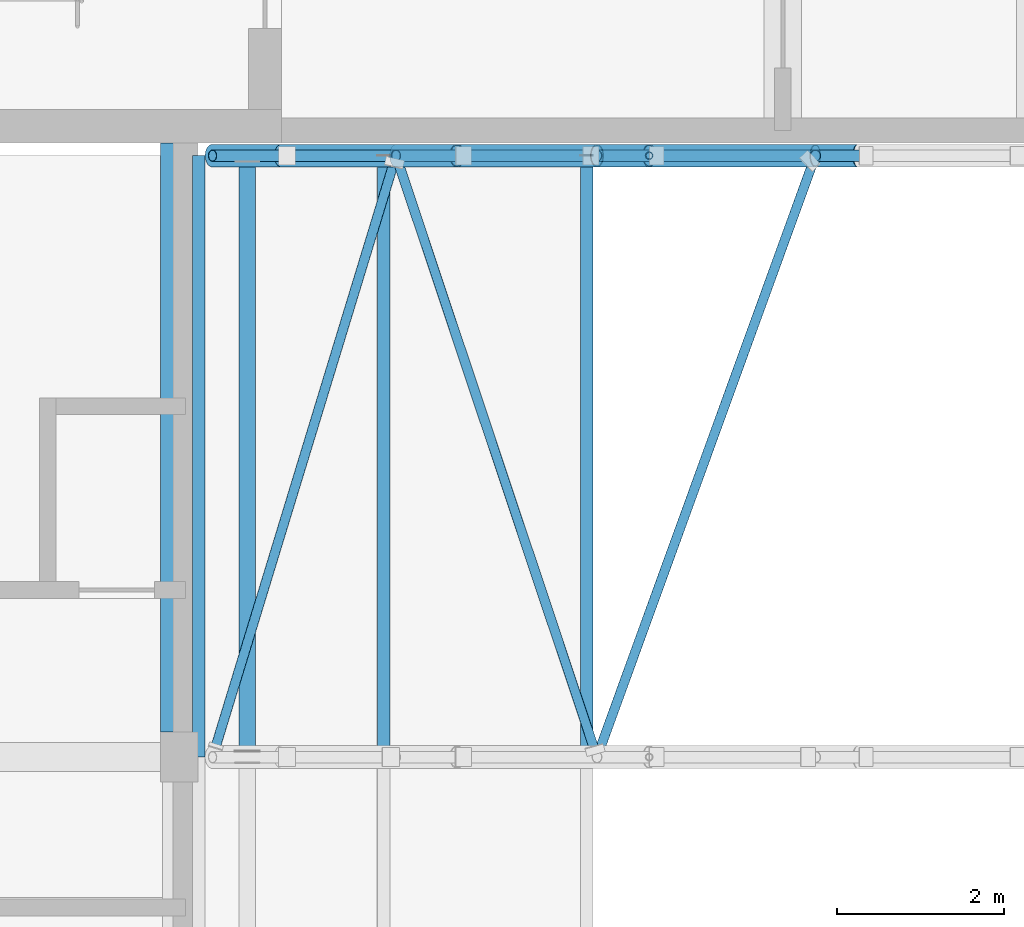
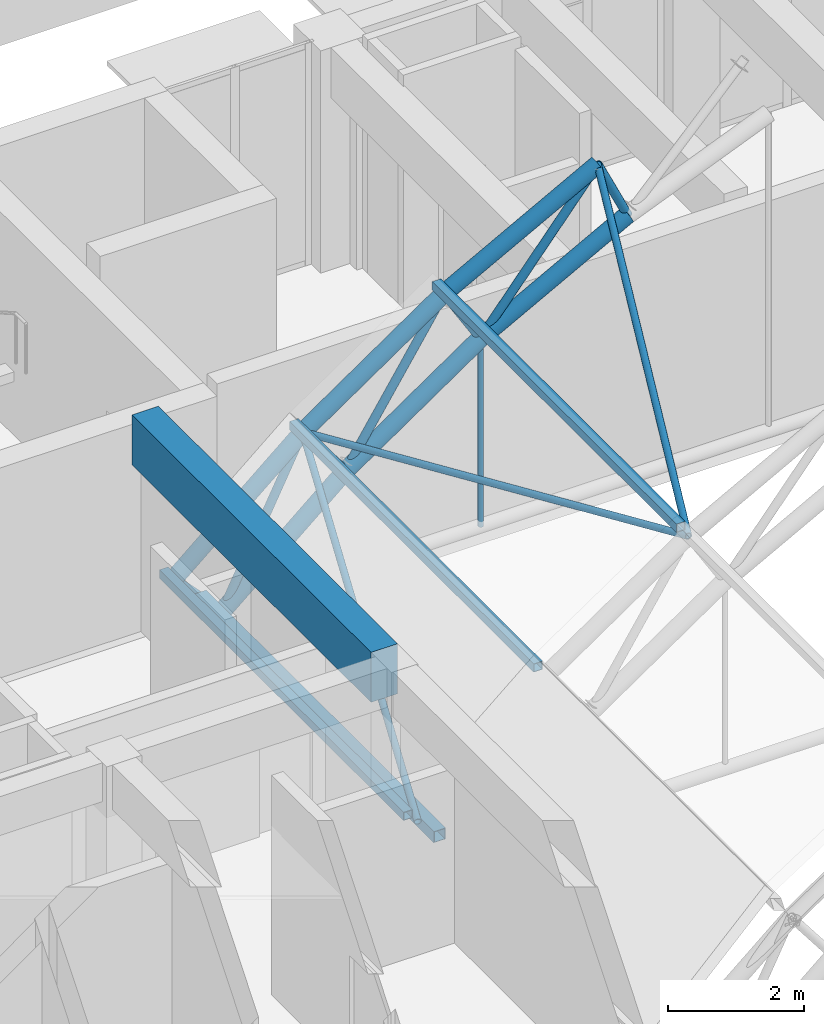
# One storey, part 8 of 101: 21 members, 1 beam.
"""IFC4 building model written with IfcOpenShell, lengths in metres."""

import ifcopenshell
import ifcopenshell.guid

model = None  # the IFC model being written
_history = None  # IfcOwnerHistory: only IFC2X3 demands one
_inside = {}  # id of a spatial element -> (the spatial element, [elements in it])
_under = {}  # id of a project, library or spatial element -> (it, [spatial elements below it])
_declared = {}  # id of a project -> (the project, [libraries it declares])
_typed = {}  # id of a type object -> (the type object, [elements of that type])
_made_of = {}  # id of a material, layer set ... -> (it, [elements and type objects made of it])


def new_model(schema):
    """Start an empty IFC model of exactly this schema.

    Asked for "IFC4X3", IfcOpenShell would pick the latest addendum, in which some entities
    have other attributes; the version numbers below select the first issue.
    IFC2X3 requires an IfcOwnerHistory on every rooted entity: one is made here for all.
    """
    global model, _history
    if schema == "IFC4X3":
        model = ifcopenshell.file(schema_version=(4, 3, 0, 0))
    else:
        model = ifcopenshell.file(schema=schema)
    _inside.clear()
    _under.clear()
    _declared.clear()
    _typed.clear()
    _made_of.clear()
    _history = None
    if model.schema == "IFC2X3":
        org = make("IfcOrganization", Name="unknown")
        user = make(
            "IfcPersonAndOrganization",
            ThePerson=make("IfcPerson", FamilyName="unknown"),
            TheOrganization=org,
        )
        app = make(
            "IfcApplication",
            ApplicationDeveloper=org,
            Version="unknown",
            ApplicationFullName="unknown",
            ApplicationIdentifier="unknown",
        )
        _history = make(
            "IfcOwnerHistory",
            OwningUser=user,
            OwningApplication=app,
            ChangeAction="ADDED",
            CreationDate=0,
        )
    return model


def make(cls, **values):
    """One entity of the class cls with the attributes given. An attribute that is None is left unset."""
    return model.create_entity(
        cls, **{name: value for name, value in values.items() if value is not None}
    )


def rooted(cls, **values):
    """An entity with a GlobalId (a new one), such as an element, a storey or a relation."""
    return make(cls, GlobalId=ifcopenshell.guid.new(), OwnerHistory=_history, **values)


def si_unit(unit_type, name, prefix=None):
    """IfcSIUnit, for example si_unit("LENGTHUNIT", "METRE", prefix="MILLI")."""
    return make("IfcSIUnit", UnitType=unit_type, Prefix=prefix, Name=name)


def assignment(units):
    """IfcUnitAssignment: the units of a project."""
    return None if units is None else make("IfcUnitAssignment", Units=units)


def point(xyz):
    """IfcCartesianPoint."""
    return None if xyz is None else make("IfcCartesianPoint", Coordinates=xyz)


def direction(xyz):
    """IfcDirection."""
    return None if xyz is None else make("IfcDirection", DirectionRatios=xyz)


def frame(location, z_axis=None, x_axis=None):
    """IfcAxis2Placement3D, a coordinate frame: its origin and axes. An axis left out is left unset."""
    return make(
        "IfcAxis2Placement3D",
        Location=point(location),
        Axis=direction(z_axis),
        RefDirection=direction(x_axis),
    )


def frame_2d(location, x_axis=None):
    """IfcAxis2Placement2D, a coordinate frame in the plane: its origin and x axis."""
    return make(
        "IfcAxis2Placement2D", Location=point(location), RefDirection=direction(x_axis)
    )


def origin():
    """The frame at (0, 0, 0) with its axes left unset."""
    return frame((0.0, 0.0, 0.0))


def origin_2d():
    """The frame at (0, 0) in the plane with its x axis left unset."""
    return frame_2d((0.0, 0.0))


def place(relative_to, where):
    """IfcLocalPlacement: puts the frame where relative to a parent placement (None: the world)."""
    return make(
        "IfcLocalPlacement", PlacementRelTo=relative_to, RelativePlacement=where
    )


def context(
    kind, dimensions, precision=None, world=None, true_north=None, identifier=None
):
    """IfcGeometricRepresentationContext, for example the 3D "Model" context."""
    return make(
        "IfcGeometricRepresentationContext",
        ContextIdentifier=identifier,
        ContextType=kind,
        CoordinateSpaceDimension=dimensions,
        Precision=precision,
        WorldCoordinateSystem=world,
        TrueNorth=true_north,
    )


def subcontext(parent, identifier, kind, view, scale=None):
    """IfcGeometricRepresentationSubContext, for example "Body" below "Model"."""
    return make(
        "IfcGeometricRepresentationSubContext",
        ContextIdentifier=identifier,
        ContextType=kind,
        ParentContext=parent,
        TargetScale=scale,
        TargetView=view,
    )


def project(units=None, contexts=None):
    """IfcProject with its units and contexts."""
    return rooted(
        "IfcProject",
        Name="project",
        RepresentationContexts=contexts,
        UnitsInContext=assignment(units),
    )


def spatial(cls, under=None, at=None, **own):
    """A site, building, storey or space (cls), placed at a placement, below another one or the project."""
    s = rooted(cls, ObjectPlacement=at, **own)
    if under is not None:
        _under.setdefault(under.id(), (under, []))[1].append(s)
    return s


def profile(cls, at=None, kind="AREA", **sizes):
    """A parametric profile (cls). Its sizes go by their IFC names, for example OverallWidth=200.0."""
    return make(cls, ProfileType=kind, Position=at, **sizes)


def rectangle(**sizes):
    """IfcRectangleProfileDef."""
    return profile("IfcRectangleProfileDef", **sizes)


def hollow_rectangle(**sizes):
    """IfcRectangleHollowProfileDef."""
    return profile("IfcRectangleHollowProfileDef", **sizes)


def hollow_circle(**sizes):
    """IfcCircleHollowProfileDef."""
    return profile("IfcCircleHollowProfileDef", **sizes)


def extrude(swept, where, along, depth):
    """IfcExtrudedAreaSolid: the profile swept, set in the frame where, extruded along a direction by depth."""
    return make(
        "IfcExtrudedAreaSolid",
        SweptArea=swept,
        Position=where,
        ExtrudedDirection=direction(along),
        Depth=depth,
    )


def shape(context_of_items, identifier, shape_type, items):
    """IfcShapeRepresentation: the items that make up one representation, for example the "Body"."""
    return make(
        "IfcShapeRepresentation",
        ContextOfItems=context_of_items,
        RepresentationIdentifier=identifier,
        RepresentationType=shape_type,
        Items=items,
    )


def material(Name=None, Category=None):
    """IfcMaterial."""
    return make("IfcMaterial", Name=Name, Category=Category)


def material_profile(
    of_material, cross_section, Name=None, Category=None, Priority=None
):
    """IfcMaterialProfile: a cross section and its material."""
    return make(
        "IfcMaterialProfile",
        Name=Name,
        Material=of_material,
        Profile=cross_section,
        Priority=Priority,
        Category=Category,
    )


def profile_set(profiles, Name=None, composite=None):
    """IfcMaterialProfileSet."""
    return make(
        "IfcMaterialProfileSet",
        Name=Name,
        MaterialProfiles=profiles,
        CompositeProfile=composite,
    )


def made_of(thing, what):
    """Note that an element or type object is made of a material, layer set ...; save() writes the relation."""
    if what is not None:
        _made_of.setdefault(what.id(), (what, []))[1].append(thing)
    return thing


def type_object(cls, material=None, **own):
    """A type object (cls), such as IfcWallType, which elements share."""
    return made_of(rooted(cls, **own), material)


def element(
    cls,
    number,
    at=None,
    inside=None,
    cuts=None,
    type_object=None,
    material=None,
    context=None,
    identifier="Body",
    shape_type=None,
    held_by="IfcProductDefinitionShape",
    body=None,
    shapes=None,
    **own,
):
    """One element of the class cls, such as IfcWall. Its Tag is "e" and its number.

    at: its placement. inside: the storey or other place that contains it. cuts: it is an
    opening in that element (IfcRelVoidsElement). A single representation is given by context,
    identifier, shape_type and body (its items); several are given by shapes. held_by: the class
    of the entity that holds the representations. save() writes the other relations.
    """
    e = rooted(cls, Tag="e%d" % number, ObjectPlacement=at, **own)
    if body is not None:
        shapes = [shape(context, identifier, shape_type, body)]
    if shapes is not None:
        e.Representation = make(held_by, Representations=shapes)
    if inside is not None:
        _inside.setdefault(inside.id(), (inside, []))[1].append(e)
    if cuts is not None:
        rooted(
            "IfcRelVoidsElement", RelatingBuildingElement=cuts, RelatedOpeningElement=e
        )
    if type_object is not None:
        _typed.setdefault(type_object.id(), (type_object, []))[1].append(e)
    return made_of(e, material)


def aggregate(whole, parts):
    """IfcRelAggregates: a whole, such as a stair, and the parts it consists of."""
    return rooted("IfcRelAggregates", RelatingObject=whole, RelatedObjects=parts)


def save(model, path):
    """Write the relations noted so far, then the file.

    IfcRelAggregates (storeys below a building ...), IfcRelContainedInSpatialStructure (elements
    in a storey), IfcRelDefinesByType, IfcRelAssociatesMaterial and IfcRelDeclares: one each for
    every whole, place, type object, material and project.
    """
    for whole, parts in _under.values():
        aggregate(whole, parts)
    for where, things in _inside.values():
        rooted(
            "IfcRelContainedInSpatialStructure",
            RelatedElements=things,
            RelatingStructure=where,
        )
    for kind, things in _typed.values():
        rooted("IfcRelDefinesByType", RelatedObjects=things, RelatingType=kind)
    for what, things in _made_of.values():
        rooted("IfcRelAssociatesMaterial", RelatedObjects=things, RelatingMaterial=what)
    for by, libraries in _declared.values():
        rooted("IfcRelDeclares", RelatingContext=by, RelatedDefinitions=libraries)
    model.write(path)


model = new_model("IFC4")

# Units and contexts
model_context = context("Model", 3, precision=1e-05, world=origin(), true_north=direction((0.0, 1.0)))
body_context = subcontext(model_context, "Body", "Model", "MODEL_VIEW")
ifc_project = project(units=[si_unit("LENGTHUNIT", "METRE"), si_unit("AREAUNIT", "SQUARE_METRE"), si_unit("VOLUMEUNIT", "CUBIC_METRE"), si_unit("PLANEANGLEUNIT", "RADIAN"), si_unit("MASSUNIT", "GRAM", prefix="KILO")], contexts=[model_context])

# Site, building, storey
site_placement = place(None, origin())
site = spatial("IfcSite", under=ifc_project, at=site_placement, CompositionType="ELEMENT")
building_placement = place(site_placement, origin())
building = spatial("IfcBuilding", under=site, at=building_placement, Name="Laocheng Heights Fire and Rescue Headquarters", CompositionType="ELEMENT")
storey_placement = place(building_placement, frame((0.0, 0.0, 8.39990234375)))
storey = spatial("IfcBuildingStorey", under=building, at=storey_placement, Name="L02", CompositionType="ELEMENT", Elevation=8.39990234375)

# Members
ifc_material_1 = material(Name="Steel Q355B", Category="steel")
ifc_material_profile_1 = material_profile(ifc_material_1, hollow_circle(Radius=0.05712890625, WallThickness=0.0048828125, at=origin_2d()), Name="CHS 114.3x5")
ifc_profile_set_1 = profile_set([ifc_material_profile_1], Name="Steel Q355B")
member_type_1 = type_object("IfcMemberType", Name="BAY ROOF BRACE CHS 114.3x5", PredefinedType="BRACE", material=ifc_profile_set_1)
member_1_placement = place(storey_placement, frame((17.172119140625, 14.39990234375, 0.869140625), z_axis=(0.283125122664, 0.927975785465, 0.242283112304), x_axis=(-0.956473341077, 0.291819717992, 0.0)))
element("IfcMember", 1, at=member_1_placement, inside=storey, type_object=member_type_1, Name="Roof brace C-D panel 01", PredefinedType="BRACE", context=body_context, shape_type="SweptSolid", body=[
    extrude(hollow_circle(Radius=0.05712890625, WallThickness=0.0048828125, at=origin_2d()), origin(), (0.0, 0.0, 1.0), 7.759033203125),
])
member_2_placement = place(storey_placement, frame((21.77490234375, 14.39990234375, 4.401123046875), z_axis=(-0.309683504081, 0.926756560361, -0.212646197069), x_axis=(-0.948448272196, -0.316931972145, 0.0)))
element("IfcMember", 2, at=member_2_placement, inside=storey, type_object=member_type_1, Name="Roof brace C-D panel 02", PredefinedType="BRACE", context=body_context, shape_type="SweptSolid", body=[
    extrude(hollow_circle(Radius=0.05712890625, WallThickness=0.0048828125, at=origin_2d()), origin(), (0.0, 0.0, 1.0), 7.769287109375),
])
member_3_placement = place(storey_placement, frame((21.77490234375, 14.39990234375, 4.401123046875), z_axis=(0.335750579277, 0.924466070771, 0.180648920584), x_axis=(-0.939930136239, 0.341366868617, 0.0)))
element("IfcMember", 3, at=member_3_placement, inside=storey, type_object=member_type_1, Name="Roof brace C-D panel 03", PredefinedType="BRACE", context=body_context, shape_type="SweptSolid", body=[
    extrude(hollow_circle(Radius=0.05712890625, WallThickness=0.0048828125, at=origin_2d()), origin(), (0.0, 0.0, 1.0), 7.78857421875),
])
ifc_material_2 = material(Name="Steel Q355B", Category="steel")
ifc_material_profile_2 = material_profile(ifc_material_2, hollow_circle(Radius=0.136474609375, WallThickness=0.011962890625, at=origin_2d()), Name="CHS 273x12")
ifc_profile_set_2 = profile_set([ifc_material_profile_2], Name="Steel Q355B")
member_type_2 = type_object("IfcMemberType", Name="BAY ROOF CHORD CHS 273x12", PredefinedType="CHORD", material=ifc_profile_set_2)
member_4_placement = place(storey_placement, frame((17.172119140625, 21.60009765625, 0.869140625), z_axis=(0.759780870103, 0.0, 0.650179228694), x_axis=(0.0, 1.0, 0.0)))
element("IfcMember", 4, at=member_4_placement, inside=storey, type_object=member_type_2, Name="Truss TR4 upper chord 01", PredefinedType="CHORD", context=body_context, shape_type="SweptSolid", body=[
    extrude(hollow_circle(Radius=0.136474609375, WallThickness=0.011962890625, at=origin_2d()), origin(), (0.0, 0.0, 1.0), 2.891357421875),
])
member_5_placement = place(storey_placement, frame((19.368896484375, 21.60009765625, 2.7490234375), z_axis=(0.824366402467, 0.0, 0.566056564738), x_axis=(0.0, 1.0, 0.0)))
element("IfcMember", 5, at=member_5_placement, inside=storey, type_object=member_type_2, Name="Truss TR4 upper chord 02", PredefinedType="CHORD", context=body_context, shape_type="SweptSolid", body=[
    extrude(hollow_circle(Radius=0.136474609375, WallThickness=0.011962890625, at=origin_2d()), origin(), (0.0, 0.0, 1.0), 2.918701171875),
])
member_6_placement = place(storey_placement, frame((21.77490234375, 21.60009765625, 4.401123046875), z_axis=(0.880624173368, 0.0, 0.473815433771), x_axis=(0.0, 1.0, 0.0)))
element("IfcMember", 6, at=member_6_placement, inside=storey, type_object=member_type_2, Name="Truss TR4 upper chord 03", PredefinedType="CHORD", context=body_context, shape_type="SweptSolid", body=[
    extrude(hollow_circle(Radius=0.136474609375, WallThickness=0.011962890625, at=origin_2d()), origin(), (0.0, 0.0, 1.0), 2.969482421875),
])
member_7_placement = place(storey_placement, frame((18.0, 21.60009765625, 0.0), z_axis=(0.759611792673, 0.0, 0.650376755759), x_axis=(0.0, 1.0, 0.0)))
element("IfcMember", 7, at=member_7_placement, inside=storey, type_object=member_type_2, Name="Truss TR4 lower chord 01", PredefinedType="CHORD", context=body_context, shape_type="SweptSolid", body=[
    extrude(hollow_circle(Radius=0.136474609375, WallThickness=0.011962890625, at=origin_2d()), origin(), (0.0, 0.0, 1.0), 2.7646484375),
])
member_8_placement = place(storey_placement, frame((20.10009765625, 21.60009765625, 1.798095703125), z_axis=(0.824378833686, 0.0, 0.566038460327), x_axis=(0.0, 1.0, 0.0)))
element("IfcMember", 8, at=member_8_placement, inside=storey, type_object=member_type_2, Name="Truss TR4 lower chord 02", PredefinedType="CHORD", context=body_context, shape_type="SweptSolid", body=[
    extrude(hollow_circle(Radius=0.136474609375, WallThickness=0.011962890625, at=origin_2d()), origin(), (0.0, 0.0, 1.0), 2.789794921875),
])
member_9_placement = place(storey_placement, frame((22.39990234375, 21.60009765625, 3.377197265625), z_axis=(0.880645014109, 0.0, 0.473776697532), x_axis=(0.0, 1.0, 0.0)))
element("IfcMember", 9, at=member_9_placement, inside=storey, type_object=member_type_2, Name="Truss TR4 lower chord 03", PredefinedType="CHORD", context=body_context, shape_type="SweptSolid", body=[
    extrude(hollow_circle(Radius=0.136474609375, WallThickness=0.011962890625, at=origin_2d()), origin(), (0.0, 0.0, 1.0), 2.8388671875),
])
ifc_material_3 = material(Name="Steel Q355B", Category="steel")
ifc_material_profile_3 = material_profile(ifc_material_3, hollow_circle(Radius=0.06982421875, WallThickness=0.006103515625, at=origin_2d()), Name="CHS 139.7x6")
ifc_profile_set_3 = profile_set([ifc_material_profile_3], Name="Steel Q355B")
member_type_3 = type_object("IfcMemberType", Name="BAY ROOF DIAG CHS 139.7x6", PredefinedType="BRACE", material=ifc_profile_set_3)
member_10_placement = place(storey_placement, frame((18.0, 21.60009765625, 0.0), z_axis=(0.445750218044, 0.0, 0.89515738455), x_axis=(0.0, 1.0, 0.0)))
element("IfcMember", 10, at=member_10_placement, inside=storey, type_object=member_type_3, Name="Truss diagonal TR4-01", PredefinedType="BRACE", context=body_context, shape_type="SweptSolid", body=[
    extrude(hollow_circle(Radius=0.06982421875, WallThickness=0.006103515625, at=origin_2d()), origin(), (0.0, 0.0, 1.0), 3.071044921875),
])
member_11_placement = place(storey_placement, frame((20.10009765625, 21.60009765625, 1.798095703125), z_axis=(0.541084441546, 0.0, 0.840968267604), x_axis=(0.0, 1.0, 0.0)))
element("IfcMember", 11, at=member_11_placement, inside=storey, type_object=member_type_3, Name="Truss diagonal TR4-02", PredefinedType="BRACE", context=body_context, shape_type="SweptSolid", body=[
    extrude(hollow_circle(Radius=0.06982421875, WallThickness=0.006103515625, at=origin_2d()), origin(), (0.0, 0.0, 1.0), 3.09521484375),
])
member_12_placement = place(storey_placement, frame((22.39990234375, 21.60009765625, 3.377197265625), z_axis=(0.633440900174, 0.0, 0.773791073861), x_axis=(0.0, 1.0, 0.0)))
element("IfcMember", 12, at=member_12_placement, inside=storey, type_object=member_type_3, Name="Truss diagonal TR4-03", PredefinedType="BRACE", context=body_context, shape_type="SweptSolid", body=[
    extrude(hollow_circle(Radius=0.06982421875, WallThickness=0.006103515625, at=origin_2d()), origin(), (0.0, 0.0, 1.0), 3.1416015625),
])
ifc_material_4 = material(Name="Steel Q355B", Category="steel")
ifc_material_profile_4 = material_profile(ifc_material_4, hollow_rectangle(XDim=0.199951171875, YDim=0.199951171875, WallThickness=0.008056640625, at=origin_2d()), Name="SHS 200x200x8")
ifc_profile_set_4 = profile_set([ifc_material_profile_4], Name="Steel Q355B")
member_type_4 = type_object("IfcMemberType", Name="BAY ROOF EAVES SHS 200x200x8", PredefinedType="STRUT", material=ifc_profile_set_4)
member_13_placement = place(storey_placement, frame((17.5859375, 14.469970703125, 0.4345703125), z_axis=(0.0, 1.0, 0.0), x_axis=(-1.0, 0.0, 0.0)))
element("IfcMember", 13, at=member_13_placement, inside=storey, type_object=member_type_4, Name="Eaves strut W3", PredefinedType="STRUT", context=body_context, shape_type="SweptSolid", body=[
    extrude(hollow_rectangle(XDim=0.199951171875, YDim=0.199951171875, WallThickness=0.008056640625, at=origin_2d()), origin(), (0.0, 0.0, 1.0), 7.06005859375),
])
ifc_material_5 = material(Name="Steel Q355B", Category="steel")
ifc_material_profile_5 = material_profile(ifc_material_5, hollow_circle(Radius=0.04443359375, WallThickness=0.0048828125, at=origin_2d()), Name="CHS 88.9x5")
ifc_profile_set_5 = profile_set([ifc_material_profile_5], Name="Steel Q355B")
member_type_5 = type_object("IfcMemberType", Name="BAY ROOF HANGER CHS 88.9x5", PredefinedType="POST", material=ifc_profile_set_5)
member_14_placement = place(storey_placement, frame((22.39990234375, 21.60009765625, 0.0), z_axis=(0.0, 0.0, 1.0), x_axis=(1.0, 0.0, 0.0)))
element("IfcMember", 14, at=member_14_placement, inside=storey, type_object=member_type_5, Name="Truss TR4 hanger 02", PredefinedType="POST", context=body_context, shape_type="SweptSolid", body=[
    extrude(hollow_circle(Radius=0.04443359375, WallThickness=0.0048828125, at=origin_2d()), origin(), (0.0, 0.0, 1.0), 3.377197265625),
])
ifc_material_6 = material(Name="Steel Q355B", Category="steel")
ifc_material_profile_6 = material_profile(ifc_material_6, hollow_circle(Radius=0.06982421875, WallThickness=0.006103515625, at=origin_2d()), Name="CHS 139.7x6")
ifc_profile_set_6 = profile_set([ifc_material_profile_6], Name="Steel Q355B")
member_type_6 = type_object("IfcMemberType", Name="BAY ROOF POST CHS 139.7x6", PredefinedType="POST", material=ifc_profile_set_6)
member_15_placement = place(storey_placement, frame((18.0, 21.60009765625, 0.0), z_axis=(-0.689711037364, 0.0, 0.72408472221), x_axis=(0.0, -1.0, 0.0)))
element("IfcMember", 15, at=member_15_placement, inside=storey, type_object=member_type_6, Name="Truss TR4 radial post 00", PredefinedType="POST", context=body_context, shape_type="SweptSolid", body=[
    extrude(hollow_circle(Radius=0.06982421875, WallThickness=0.006103515625, at=origin_2d()), origin(), (0.0, 0.0, 1.0), 1.200439453125),
])
member_16_placement = place(storey_placement, frame((20.10009765625, 21.60009765625, 1.798095703125), z_axis=(-0.609563212164, 0.0, 0.792737466237), x_axis=(0.0, -1.0, 0.0)))
element("IfcMember", 16, at=member_16_placement, inside=storey, type_object=member_type_6, Name="Truss TR4 radial post 01", PredefinedType="POST", context=body_context, shape_type="SweptSolid", body=[
    extrude(hollow_circle(Radius=0.06982421875, WallThickness=0.006103515625, at=origin_2d()), origin(), (0.0, 0.0, 1.0), 1.199462890625),
])
for number, where, z_axis, x_axis, name in (
    (17, (22.39990234375, 21.60009765625, 3.377197265625), (-0.521005401076, 0.0, 0.853553379731), (0.0, -1.0, 0.0), "Truss TR4 radial post 02"),
    (18, (24.89990234375, 21.60009765625, 4.72216796875), (-0.425101107328, 0.0, 0.90514587142), (0.0, -1.0, 0.0), "Truss TR4 radial post 03"),
):
    element("IfcMember", number, at=place(storey_placement, frame(where, z_axis=z_axis, x_axis=x_axis)), inside=storey, type_object=member_type_6, Name=name, PredefinedType="POST", context=body_context, shape_type="SweptSolid", body=[
        extrude(hollow_circle(Radius=0.06982421875, WallThickness=0.006103515625, at=origin_2d()), origin(), (0.0, 0.0, 1.0), 1.19970703125),
    ])
ifc_material_7 = material(Name="Steel Q355B", Category="steel")
ifc_material_profile_7 = material_profile(ifc_material_7, hollow_rectangle(XDim=0.14990234375, YDim=0.14990234375, WallThickness=0.008056640625, at=origin_2d()), Name="SHS 150x150x8")
ifc_profile_set_7 = profile_set([ifc_material_profile_7], Name="Steel Q355B")
member_type_7 = type_object("IfcMemberType", Name="BAY ROOF PURLIN SHS 150x150x8", PredefinedType="PURLIN", material=ifc_profile_set_7)
for number, where, z_axis, x_axis, name in (
    (19, (17.00439453125, 14.39990234375, 1.045166015625), (0.0, 1.0, 0.0), (-1.0, 0.0, 0.0), "Purlin 1.3"),
    (20, (19.221435546875, 14.39990234375, 2.941162109375), (0.0, 1.0, 0.0), (-1.0, 0.0, 0.0), "Purlin 2.3"),
    (21, (21.64990234375, 14.39990234375, 4.60595703125), (0.0, 1.0, 0.0), (-1.0, 0.0, 0.0), "Purlin 3.3"),
):
    element("IfcMember", number, at=place(storey_placement, frame(where, z_axis=z_axis, x_axis=x_axis)), inside=storey, type_object=member_type_7, Name=name, PredefinedType="PURLIN", context=body_context, shape_type="SweptSolid", body=[
        extrude(hollow_rectangle(XDim=0.14990234375, YDim=0.14990234375, WallThickness=0.008056640625, at=origin_2d()), origin(), (0.0, 0.0, 1.0), 7.2001953125),
    ])

# Beam
ifc_material_8 = material(Name="Concrete C40", Category="concrete")
ifc_material_profile_8 = material_profile(ifc_material_8, rectangle(XDim=0.449951171875, YDim=0.89990234375, at=origin_2d()), Name="RC BEAM 450x900 PAVILION FLOOR")
ifc_profile_set_8 = profile_set([ifc_material_profile_8], Name="Concrete C40")
beam_type = type_object("IfcBeamType", Name="RC BEAM 450x900 PAVILION FLOOR", PredefinedType="BEAM", material=ifc_profile_set_8)
beam_placement = place(storey_placement, frame((16.77490234375, 14.699951171875, 3.5), z_axis=(0.0, 1.0, 0.0), x_axis=(-1.0, 0.0, 0.0)))
element("IfcBeam", 22, at=beam_placement, inside=storey, type_object=beam_type, Name="Pavilion beam", PredefinedType="BEAM", context=body_context, shape_type="SweptSolid", body=[
    extrude(rectangle(XDim=0.449951171875, YDim=0.89990234375, at=origin_2d()), origin(), (0.0, 0.0, 1.0), 7.050048828125),
])

save(model, "model.ifc")
